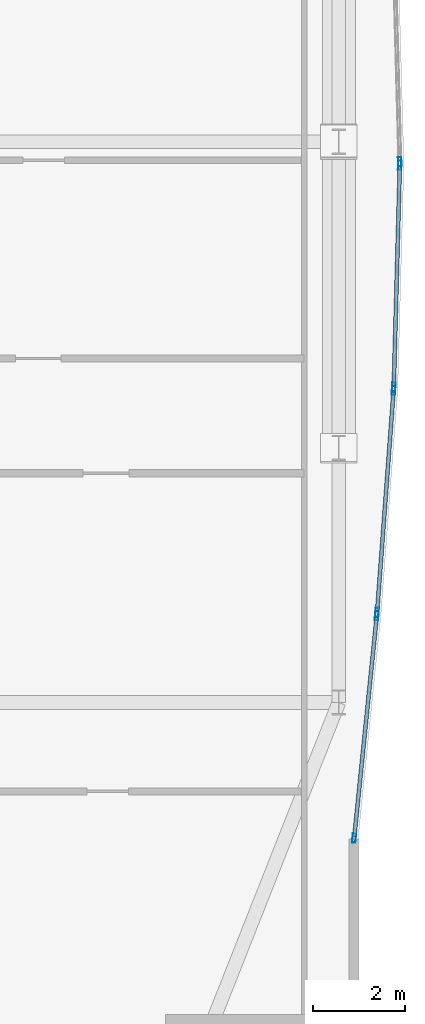
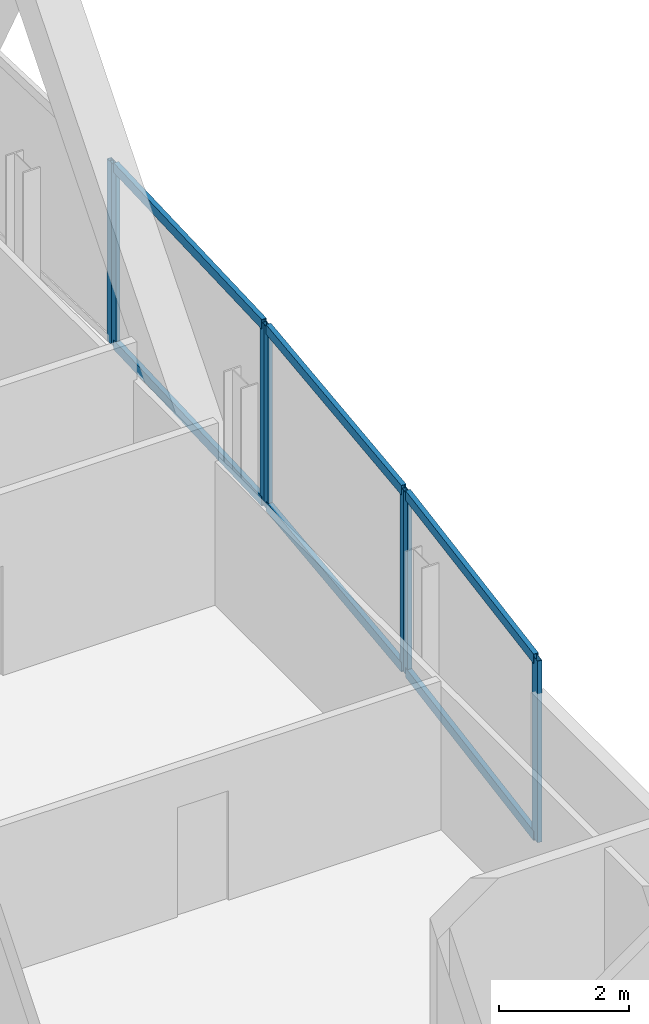
# One storey, part 21 of 29: 13 members, 4 elements without a shape of their own.
"""IFC4 building model written with IfcOpenShell, lengths in metres."""

from ifc_helpers import new_model, si_unit, direction, frame, origin, origin_2d, place, context, subcontext, project, spatial, hollow_rectangle, extrude, material, material_profile, profile_set, type_object, element, aggregate, save


model = new_model("IFC4")

# Units and contexts
model_context = context("Model", 3, precision=1e-05, world=origin(), true_north=direction((0.0, 1.0)))
body_context = subcontext(model_context, "Body", "Model", "MODEL_VIEW")
ifc_project = project(units=[si_unit("LENGTHUNIT", "METRE"), si_unit("AREAUNIT", "SQUARE_METRE"), si_unit("VOLUMEUNIT", "CUBIC_METRE"), si_unit("PLANEANGLEUNIT", "RADIAN"), si_unit("MASSUNIT", "GRAM", prefix="KILO")], contexts=[model_context])

# Site, building, storey
site_placement = place(None, origin())
site = spatial("IfcSite", under=ifc_project, at=site_placement, CompositionType="ELEMENT")
building_placement = place(site_placement, origin())
building = spatial("IfcBuilding", under=site, at=building_placement, Name="Khoronbel Lancet Exchange", CompositionType="ELEMENT")
storey_placement = place(building_placement, frame((0.0, 0.0, 180.60009765625)))
storey = spatial("IfcBuildingStorey", under=building, at=storey_placement, Name="L45", CompositionType="ELEMENT", Elevation=180.60009765625)

# Curtain wall, member
ifc_material_1 = material(Name="Low-E Solar Control Insulating Glass", Category="glass")
curtain_wall_type = type_object("IfcCurtainWallType", Name="CW-4", PredefinedType="NOTDEFINED", material=ifc_material_1)
curtain_wall_1_placement = place(storey_placement, origin())
curtain_wall_1 = element("IfcCurtainWall", 1, at=curtain_wall_1_placement, inside=storey, type_object=curtain_wall_type, Name="Unitised curtain wall CW-L45-E19", PredefinedType="NOTDEFINED")
ifc_material_2 = material(Name="Bronze-Anodised Aluminium 6063-T6", Category="aluminium")
ifc_material_profile_1 = material_profile(ifc_material_2, hollow_rectangle(XDim=0.074951171875, YDim=0.199951171875, WallThickness=0.0048828125, at=origin_2d()), Name="ALU MULLION 75x200")
ifc_profile_set_1 = profile_set([ifc_material_profile_1], Name="Bronze-Anodised Aluminium 6063-T6")
member_type_1 = type_object("IfcMemberType", Name="MEM-CWM2", PredefinedType="MULLION", material=ifc_profile_set_1)
member_1_placement = place(storey_placement, frame((68.958984375, 30.987548828125, 0.0), z_axis=(0.0, 0.0, 1.0), x_axis=(0.99962867447, 0.027249094987, 0.0)))
member_1 = element("IfcMember", 2, at=member_1_placement, type_object=member_type_1, Name="CW4 mullion 2", PredefinedType="MULLION", context=body_context, shape_type="SweptSolid", body=[
    extrude(hollow_rectangle(XDim=0.074951171875, YDim=0.199951171875, WallThickness=0.0048828125, at=origin_2d()), origin(), (0.0, 0.0, 1.0), 3.39990234375),
])
aggregate(curtain_wall_1, [member_1])

# Curtain wall, members
curtain_wall_2_placement = place(storey_placement, origin())
curtain_wall_2 = element("IfcCurtainWall", 3, at=curtain_wall_2_placement, inside=storey, type_object=curtain_wall_type, Name="Unitised curtain wall CW-L45-E20", PredefinedType="NOTDEFINED")
member_2_placement = place(storey_placement, frame((68.958984375, 30.91259765625, 0.0), z_axis=(0.0, 0.0, 1.0), x_axis=(0.99962867447, -0.027249094987, 0.0)))
member_2 = element("IfcMember", 4, at=member_2_placement, type_object=member_type_1, Name="CW4 mullion 1", PredefinedType="MULLION", context=body_context, shape_type="SweptSolid", body=[
    extrude(hollow_rectangle(XDim=0.074951171875, YDim=0.199951171875, WallThickness=0.0048828125, at=origin_2d()), origin(), (0.0, 0.0, 1.0), 3.39990234375),
])
member_3_placement = place(storey_placement, frame((68.8271484375, 26.075439453125, 0.0), z_axis=(0.0, 0.0, 1.0), x_axis=(0.99962867447, -0.027249094987, 0.0)))
member_3 = element("IfcMember", 5, at=member_3_placement, type_object=member_type_1, Name="CW4 mullion 2", PredefinedType="MULLION", context=body_context, shape_type="SweptSolid", body=[
    extrude(hollow_rectangle(XDim=0.074951171875, YDim=0.199951171875, WallThickness=0.0048828125, at=origin_2d()), origin(), (0.0, 0.0, 1.0), 3.39990234375),
])

curtain_wall_3_placement = place(storey_placement, origin())
curtain_wall_3 = element("IfcCurtainWall", 6, at=curtain_wall_3_placement, inside=storey, type_object=curtain_wall_type, Name="Unitised curtain wall CW-L45-E21", PredefinedType="NOTDEFINED")
member_4_placement = place(storey_placement, frame((68.8232421875, 26.00048828125, 0.0), z_axis=(0.0, 0.0, 1.0), x_axis=(0.99723999443, -0.074245494873, 0.0)))
member_4 = element("IfcMember", 7, at=member_4_placement, type_object=member_type_1, Name="CW4 mullion 1", PredefinedType="MULLION", context=body_context, shape_type="SweptSolid", body=[
    extrude(hollow_rectangle(XDim=0.074951171875, YDim=0.199951171875, WallThickness=0.0048828125, at=origin_2d()), origin(), (0.0, 0.0, 1.0), 3.39990234375),
])
member_5_placement = place(storey_placement, frame((68.463134765625, 21.162109375, 0.0), z_axis=(0.0, 0.0, 1.0), x_axis=(0.99723999443, -0.074245494873, 0.0)))
member_5 = element("IfcMember", 8, at=member_5_placement, type_object=member_type_1, Name="CW4 mullion 2", PredefinedType="MULLION", context=body_context, shape_type="SweptSolid", body=[
    extrude(hollow_rectangle(XDim=0.074951171875, YDim=0.199951171875, WallThickness=0.0048828125, at=origin_2d()), origin(), (0.0, 0.0, 1.0), 3.39990234375),
])

curtain_wall_4_placement = place(storey_placement, origin())
curtain_wall_4 = element("IfcCurtainWall", 9, at=curtain_wall_4_placement, inside=storey, type_object=curtain_wall_type, Name="Unitised curtain wall CW-L45-E22", PredefinedType="NOTDEFINED")
member_6_placement = place(storey_placement, frame((68.45654296875, 21.08740234375, 0.0), z_axis=(0.0, 0.0, 1.0), x_axis=(0.994869630688, -0.101165300055, 0.0)))
member_6 = element("IfcMember", 10, at=member_6_placement, type_object=member_type_1, Name="CW4 mullion 1", PredefinedType="MULLION", context=body_context, shape_type="SweptSolid", body=[
    extrude(hollow_rectangle(XDim=0.074951171875, YDim=0.199951171875, WallThickness=0.0048828125, at=origin_2d()), origin(), (0.0, 0.0, 1.0), 3.39990234375),
])
member_7_placement = place(storey_placement, frame((67.9638671875, 16.241943359375, 0.0), z_axis=(0.0, 0.0, 1.0), x_axis=(0.994869630688, -0.101165300055, 0.0)))
member_7 = element("IfcMember", 11, at=member_7_placement, type_object=member_type_1, Name="CW4 mullion 2", PredefinedType="MULLION", context=body_context, shape_type="SweptSolid", body=[
    extrude(hollow_rectangle(XDim=0.074951171875, YDim=0.199951171875, WallThickness=0.0048828125, at=origin_2d()), origin(), (0.0, 0.0, 1.0), 3.39990234375),
])

# Member
ifc_material_profile_2 = material_profile(ifc_material_2, hollow_rectangle(XDim=0.0849609375, YDim=0.179931640625, WallThickness=0.0048828125, at=origin_2d()), Name="ALU TRANSOM 85x180")
ifc_profile_set_2 = profile_set([ifc_material_profile_2], Name="Bronze-Anodised Aluminium 6063-T6")
member_type_2 = type_object("IfcMemberType", Name="MEM-CWT1", PredefinedType="USERDEFINED", material=ifc_profile_set_2)
member_8_placement = place(storey_placement, frame((68.9580078125, 30.875, 0.04248046875), z_axis=(-0.027263521253, -0.999628281117, 0.0), x_axis=(0.999628281117, -0.027263521253, 0.0)))
member_8 = element("IfcMember", 12, at=member_8_placement, type_object=member_type_2, Name="CW4 transom 1.1", ObjectType="TRANSOM", PredefinedType="USERDEFINED", context=body_context, shape_type="SweptSolid", body=[
    extrude(hollow_rectangle(XDim=0.0849609375, YDim=0.179931640625, WallThickness=0.0048828125, at=origin_2d()), origin(), (0.0, 0.0, 1.0), 4.763916015625),
])

member_9_placement = place(storey_placement, frame((68.9580078125, 30.875, 3.357421875), z_axis=(-0.027263521253, -0.999628281117, 0.0), x_axis=(0.999628281117, -0.027263521253, 0.0)))
member_9 = element("IfcMember", 13, at=member_9_placement, type_object=member_type_2, Name="CW4 transom 1.2", ObjectType="TRANSOM", PredefinedType="USERDEFINED", context=body_context, shape_type="SweptSolid", body=[
    extrude(hollow_rectangle(XDim=0.0849609375, YDim=0.179931640625, WallThickness=0.0048828125, at=origin_2d()), origin(), (0.0, 0.0, 1.0), 4.763916015625),
])

aggregate(curtain_wall_2, [member_2, member_3, member_8, member_9])

member_10_placement = place(storey_placement, frame((68.820556640625, 25.963134765625, 0.04248046875), z_axis=(-0.074261377286, -0.997238811842, 0.0), x_axis=(0.997238811842, -0.074261377286, 0.0)))
member_10 = element("IfcMember", 14, at=member_10_placement, type_object=member_type_2, Name="CW4 transom 1.1", ObjectType="TRANSOM", PredefinedType="USERDEFINED", context=body_context, shape_type="SweptSolid", body=[
    extrude(hollow_rectangle(XDim=0.0849609375, YDim=0.179931640625, WallThickness=0.0048828125, at=origin_2d()), origin(), (0.0, 0.0, 1.0), 4.77685546875),
])

member_11_placement = place(storey_placement, frame((68.820556640625, 25.963134765625, 3.357421875), z_axis=(-0.074261377286, -0.997238811842, 0.0), x_axis=(0.997238811842, -0.074261377286, 0.0)))
member_11 = element("IfcMember", 15, at=member_11_placement, type_object=member_type_2, Name="CW4 transom 1.2", ObjectType="TRANSOM", PredefinedType="USERDEFINED", context=body_context, shape_type="SweptSolid", body=[
    extrude(hollow_rectangle(XDim=0.0849609375, YDim=0.179931640625, WallThickness=0.0048828125, at=origin_2d()), origin(), (0.0, 0.0, 1.0), 4.77685546875),
])

aggregate(curtain_wall_3, [member_4, member_5, member_10, member_11])

member_12_placement = place(storey_placement, frame((68.45263671875, 21.050048828125, 0.04248046875), z_axis=(-0.101161999035, -0.994869966353, 0.0), x_axis=(0.994869966353, -0.101161999035, 0.0)))
member_12 = element("IfcMember", 16, at=member_12_placement, type_object=member_type_2, Name="CW4 transom 1.1", ObjectType="TRANSOM", PredefinedType="USERDEFINED", context=body_context, shape_type="SweptSolid", body=[
    extrude(hollow_rectangle(XDim=0.0849609375, YDim=0.179931640625, WallThickness=0.0048828125, at=origin_2d()), origin(), (0.0, 0.0, 1.0), 4.79541015625),
])

member_13_placement = place(storey_placement, frame((68.45263671875, 21.050048828125, 3.357421875), z_axis=(-0.101161999035, -0.994869966353, 0.0), x_axis=(0.994869966353, -0.101161999035, 0.0)))
member_13 = element("IfcMember", 17, at=member_13_placement, type_object=member_type_2, Name="CW4 transom 1.2", ObjectType="TRANSOM", PredefinedType="USERDEFINED", context=body_context, shape_type="SweptSolid", body=[
    extrude(hollow_rectangle(XDim=0.0849609375, YDim=0.179931640625, WallThickness=0.0048828125, at=origin_2d()), origin(), (0.0, 0.0, 1.0), 4.79541015625),
])

aggregate(curtain_wall_4, [member_6, member_7, member_12, member_13])

save(model, "model.ifc")
